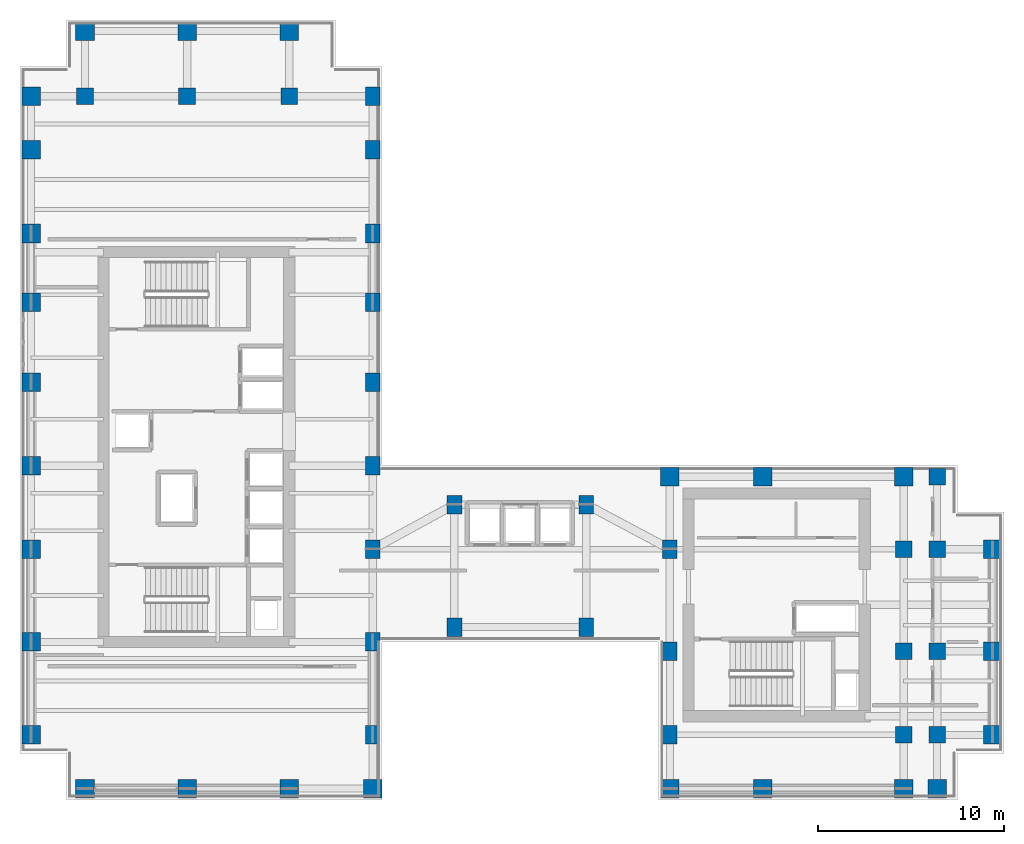
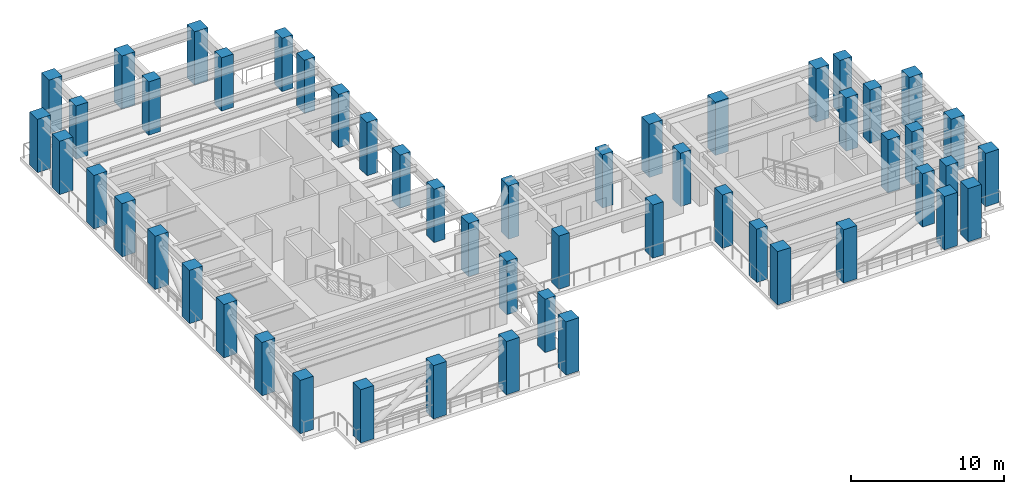
# One storey, part 1 of 14: 52 columns.
"""IFC4 building model written with IfcOpenShell, lengths in metres."""

from ifc_helpers import new_model, si_unit, direction, frame, origin, origin_2d, place, context, subcontext, project, spatial, rectangle, extrude, source, transform, mapped, material, material_profile, profile_set, type_object, element, save


model = new_model("IFC4")

# Units and contexts
model_context = context("Model", 3, precision=1e-05, world=origin(), true_north=direction((0.0, 1.0)))
body_context = subcontext(model_context, "Body", "Model", "MODEL_VIEW")
ifc_project = project(units=[si_unit("LENGTHUNIT", "METRE"), si_unit("AREAUNIT", "SQUARE_METRE"), si_unit("VOLUMEUNIT", "CUBIC_METRE"), si_unit("PLANEANGLEUNIT", "RADIAN"), si_unit("MASSUNIT", "GRAM", prefix="KILO")], contexts=[model_context])

# Site, building, storey
site_placement = place(None, origin())
site = spatial("IfcSite", under=ifc_project, at=site_placement, CompositionType="ELEMENT")
building_placement = place(site_placement, origin())
building = spatial("IfcBuilding", under=site, at=building_placement, Name="Kharzan Plaza Tower", CompositionType="ELEMENT")
storey_placement = place(building_placement, frame((0.0, 0.0, 207.89990234375)))
storey = spatial("IfcBuildingStorey", under=building, at=storey_placement, Name="L56", CompositionType="ELEMENT", Elevation=207.89990234375)

# Columns
ifc_material = material(Name="Concrete C50/60", Category="concrete")
ifc_material_profile_1 = material_profile(ifc_material, rectangle(XDim=0.89990234375, YDim=0.89990234375, at=origin_2d()), Name="RC-IC900x900")
ifc_profile_set_1 = profile_set([ifc_material_profile_1], Name="Concrete C50/60")
column_type_1 = type_object("IfcColumnType", Name="COL-IC900", PredefinedType="COLUMN", material=ifc_profile_set_1)
shared_shape_1 = source(origin(), body_context, "Body", "SweptSolid", [
    extrude(rectangle(XDim=0.89990234375, YDim=0.89990234375, at=origin_2d()), origin(), (0.0, 0.0, 1.0), 4.260009765625),
])
for number, where, z_axis, x_axis, name in (
    (1, (47.60009765625, 13.5, 0.0), (0.0, 0.0, 1.0), (1.0, 0.0, 0.0), "L56 Structural Column TCBI-135"),
    (2, (47.60009765625, 3.5, 0.0), (0.0, 0.0, 1.0), (1.0, 0.0, 0.0), "L56 Structural Column TCBI-35"),
    (3, (47.60009765625, 8.0, 0.0), (0.0, 0.0, 1.0), (1.0, 0.0, 0.0), "L56 Structural Column TCBI-80"),
    (4, (49.39990234375, 13.5, 0.0), (0.0, 0.0, 1.0), (1.0, 0.0, 0.0), "L56 Structural Column TCE-494-135"),
    (5, (49.39990234375, 17.39990234375, 0.0), (0.0, 0.0, 1.0), (1.0, 0.0, 0.0), "L56 Structural Column TCE-494-174"),
    (6, (49.39990234375, 3.5, 0.0), (0.0, 0.0, 1.0), (1.0, 0.0, 0.0), "L56 Structural Column TCE-494-35"),
    (7, (49.39990234375, 8.0, 0.0), (0.0, 0.0, 1.0), (1.0, 0.0, 0.0), "L56 Structural Column TCE-494-80"),
    (8, (14.5, 37.89990234375, 0.0), (0.0, 0.0, 1.0), (1.0, 0.0, 0.0), "L56 Structural Column TCN-145-379"),
    (9, (3.5, 37.89990234375, 0.0), (0.0, 0.0, 1.0), (1.0, 0.0, 0.0), "L56 Structural Column TCN-35-379"),
    (10, (9.0, 37.89990234375, 0.0), (0.0, 0.0, 1.0), (1.0, 0.0, 0.0), "L56 Structural Column TCN-90-379"),
):
    element("IfcColumn", number, at=place(storey_placement, frame(where, z_axis=z_axis, x_axis=x_axis)), inside=storey, type_object=column_type_1, Name=name, PredefinedType="COLUMN", context=body_context, shape_type="MappedRepresentation", body=[
        mapped(shared_shape_1, transform((0.0, 0.0, 0.0), x_axis=(1.0, 0.0, 0.0), y_axis=(0.0, 1.0, 0.0), z_axis=(0.0, 0.0, 1.0))),
    ])
ifc_material_profile_2 = material_profile(ifc_material, rectangle(XDim=0.800048828125, YDim=1.0, at=origin_2d()), Name="RC-SC1000x800")
ifc_profile_set_2 = profile_set([ifc_material_profile_2], Name="Concrete C50/60")
column_type_2 = type_object("IfcColumnType", Name="COL-SC1000", PredefinedType="COLUMN", material=ifc_profile_set_2)
shared_shape_2 = source(origin(), body_context, "Body", "SweptSolid", [
    extrude(rectangle(XDim=0.800048828125, YDim=1.0, at=origin_2d()), origin(), (0.0, 0.0, 1.0), 4.260009765625),
])
for number, where, z_axis, x_axis, name in (
    (11, (19.0, 13.5, 0.0), (0.0, 0.0, 1.0), (1.0, 0.0, 0.0), "L56 Structural Column TCA-135"),
    (12, (19.0, 18.0, 0.0), (0.0, 0.0, 1.0), (1.0, 0.0, 0.0), "L56 Structural Column TCA-180"),
    (13, (19.0, 22.5, 0.0), (0.0, 0.0, 1.0), (1.0, 0.0, 0.0), "L56 Structural Column TCA-225"),
    (14, (19.0, 26.800048828125, 0.0), (0.0, 0.0, 1.0), (1.0, 0.0, 0.0), "L56 Structural Column TCA-268"),
    (15, (19.0, 30.5, 0.0), (0.0, 0.0, 1.0), (1.0, 0.0, 0.0), "L56 Structural Column TCA-305"),
    (16, (19.0, 3.5, 0.0), (0.0, 0.0, 1.0), (1.0, 0.0, 0.0), "L56 Structural Column TCA-35"),
    (17, (19.0, 35.0, 0.0), (0.0, 0.0, 1.0), (1.0, 0.0, 0.0), "L56 Structural Column TCA-350"),
    (18, (19.0, 37.89990234375, 0.0), (0.0, 0.0, 1.0), (1.0, 0.0, 0.0), "L56 Structural Column TCA-379"),
    (19, (19.0, 8.5, 0.0), (0.0, 0.0, 1.0), (1.0, 0.0, 0.0), "L56 Structural Column TCA-85"),
    (20, (35.0, 13.5, 0.0), (0.0, 0.0, 1.0), (1.0, 0.0, 0.0), "L56 Structural Column TCBS-135"),
    (21, (35.0, 3.5, 0.0), (0.0, 0.0, 1.0), (1.0, 0.0, 0.0), "L56 Structural Column TCBS-35"),
    (22, (35.0, 8.0, 0.0), (0.0, 0.0, 1.0), (1.0, 0.0, 0.0), "L56 Structural Column TCBS-80"),
    (23, (23.39990234375, 15.89990234375, 0.0), (0.0, 0.0, 1.0), (1.0, 0.0, 0.0), "L56 Structural Column TCSP-234-159"),
    (24, (23.39990234375, 9.300048828125, 0.0), (0.0, 0.0, 1.0), (1.0, 0.0, 0.0), "L56 Structural Column TCSP-234-93"),
    (25, (30.5, 15.89990234375, 0.0), (0.0, 0.0, 1.0), (1.0, 0.0, 0.0), "L56 Structural Column TCSP-305-159"),
    (26, (30.5, 9.300048828125, 0.0), (0.0, 0.0, 1.0), (1.0, 0.0, 0.0), "L56 Structural Column TCSP-305-93"),
):
    element("IfcColumn", number, at=place(storey_placement, frame(where, z_axis=z_axis, x_axis=x_axis)), inside=storey, type_object=column_type_2, Name=name, PredefinedType="COLUMN", context=body_context, shape_type="MappedRepresentation", body=[
        mapped(shared_shape_2, transform((0.0, 0.0, 0.0), x_axis=(1.0, 0.0, 0.0), y_axis=(0.0, 1.0, 0.0), z_axis=(0.0, 0.0, 1.0))),
    ])
ifc_material_profile_3 = material_profile(ifc_material, rectangle(XDim=1.0, YDim=1.0, at=origin_2d()), Name="RC-TC1000x1000")
ifc_profile_set_3 = profile_set([ifc_material_profile_3], Name="Concrete C50/60")
column_type_3 = type_object("IfcColumnType", Name="COL-TC1000", PredefinedType="COLUMN", material=ifc_profile_set_3)
shared_shape_3 = source(origin(), body_context, "Body", "SweptSolid", [
    extrude(rectangle(XDim=1.0, YDim=1.0, at=origin_2d()), origin(), (0.0, 0.0, 1.0), 4.260009765625),
])
for number, where, z_axis, x_axis, name in (
    (27, (35.0, 17.39990234375, 0.0), (0.0, 0.0, 1.0), (1.0, 0.0, 0.0), "L56 Structural Column TCBN-350-174"),
    (28, (40.0, 17.39990234375, 0.0), (0.0, 0.0, 1.0), (1.0, 0.0, 0.0), "L56 Structural Column TCBN-400-174"),
    (29, (47.60009765625, 17.39990234375, 0.0), (0.0, 0.0, 1.0), (1.0, 0.0, 0.0), "L56 Structural Column TCBN-476-174"),
    (30, (52.39990234375, 13.5, 0.0), (0.0, 0.0, 1.0), (1.0, 0.0, 0.0), "L56 Structural Column TCE-524-135"),
    (31, (52.39990234375, 3.5, 0.0), (0.0, 0.0, 1.0), (1.0, 0.0, 0.0), "L56 Structural Column TCE-524-35"),
    (32, (52.39990234375, 8.0, 0.0), (0.0, 0.0, 1.0), (1.0, 0.0, 0.0), "L56 Structural Column TCE-524-80"),
    (33, (14.5, 41.39990234375, 0.0), (0.0, 0.0, 1.0), (1.0, 0.0, 0.0), "L56 Structural Column TCN-145-414"),
    (34, (3.5, 41.39990234375, 0.0), (0.0, 0.0, 1.0), (1.0, 0.0, 0.0), "L56 Structural Column TCN-35-414"),
    (35, (9.0, 41.39990234375, 0.0), (0.0, 0.0, 1.0), (1.0, 0.0, 0.0), "L56 Structural Column TCN-90-414"),
    (36, (14.5, 0.60009765625, 0.0), (0.0, 0.0, 1.0), (1.0, 0.0, 0.0), "L56 Structural Column TCS-145"),
    (37, (19.0, 0.60009765625, 0.0), (0.0, 0.0, 1.0), (1.0, 0.0, 0.0), "L56 Structural Column TCS-190"),
    (38, (3.5, 0.60009765625, 0.0), (0.0, 0.0, 1.0), (1.0, 0.0, 0.0), "L56 Structural Column TCS-35"),
    (39, (35.0, 0.60009765625, 0.0), (0.0, 0.0, 1.0), (1.0, 0.0, 0.0), "L56 Structural Column TCS-350"),
    (40, (40.0, 0.60009765625, 0.0), (0.0, 0.0, 1.0), (1.0, 0.0, 0.0), "L56 Structural Column TCS-400"),
    (41, (47.60009765625, 0.60009765625, 0.0), (0.0, 0.0, 1.0), (1.0, 0.0, 0.0), "L56 Structural Column TCS-476"),
    (42, (49.39990234375, 0.60009765625, 0.0), (0.0, 0.0, 1.0), (1.0, 0.0, 0.0), "L56 Structural Column TCS-494"),
    (43, (9.0, 0.60009765625, 0.0), (0.0, 0.0, 1.0), (1.0, 0.0, 0.0), "L56 Structural Column TCS-90"),
    (44, (0.60009765625, 13.5, 0.0), (0.0, 0.0, 1.0), (1.0, 0.0, 0.0), "L56 Structural Column TCW-135"),
    (45, (0.60009765625, 18.0, 0.0), (0.0, 0.0, 1.0), (1.0, 0.0, 0.0), "L56 Structural Column TCW-180"),
    (46, (0.60009765625, 22.5, 0.0), (0.0, 0.0, 1.0), (1.0, 0.0, 0.0), "L56 Structural Column TCW-225"),
    (47, (0.60009765625, 26.800048828125, 0.0), (0.0, 0.0, 1.0), (1.0, 0.0, 0.0), "L56 Structural Column TCW-268"),
    (48, (0.60009765625, 30.5, 0.0), (0.0, 0.0, 1.0), (1.0, 0.0, 0.0), "L56 Structural Column TCW-305"),
    (49, (0.60009765625, 3.5, 0.0), (0.0, 0.0, 1.0), (1.0, 0.0, 0.0), "L56 Structural Column TCW-35"),
    (50, (0.60009765625, 35.0, 0.0), (0.0, 0.0, 1.0), (1.0, 0.0, 0.0), "L56 Structural Column TCW-350"),
    (51, (0.60009765625, 37.89990234375, 0.0), (0.0, 0.0, 1.0), (1.0, 0.0, 0.0), "L56 Structural Column TCW-379"),
    (52, (0.60009765625, 8.5, 0.0), (0.0, 0.0, 1.0), (1.0, 0.0, 0.0), "L56 Structural Column TCW-85"),
):
    element("IfcColumn", number, at=place(storey_placement, frame(where, z_axis=z_axis, x_axis=x_axis)), inside=storey, type_object=column_type_3, Name=name, PredefinedType="COLUMN", context=body_context, shape_type="MappedRepresentation", body=[
        mapped(shared_shape_3, transform((0.0, 0.0, 0.0), x_axis=(1.0, 0.0, 0.0), y_axis=(0.0, 1.0, 0.0), z_axis=(0.0, 0.0, 1.0))),
    ])

save(model, "model.ifc")
